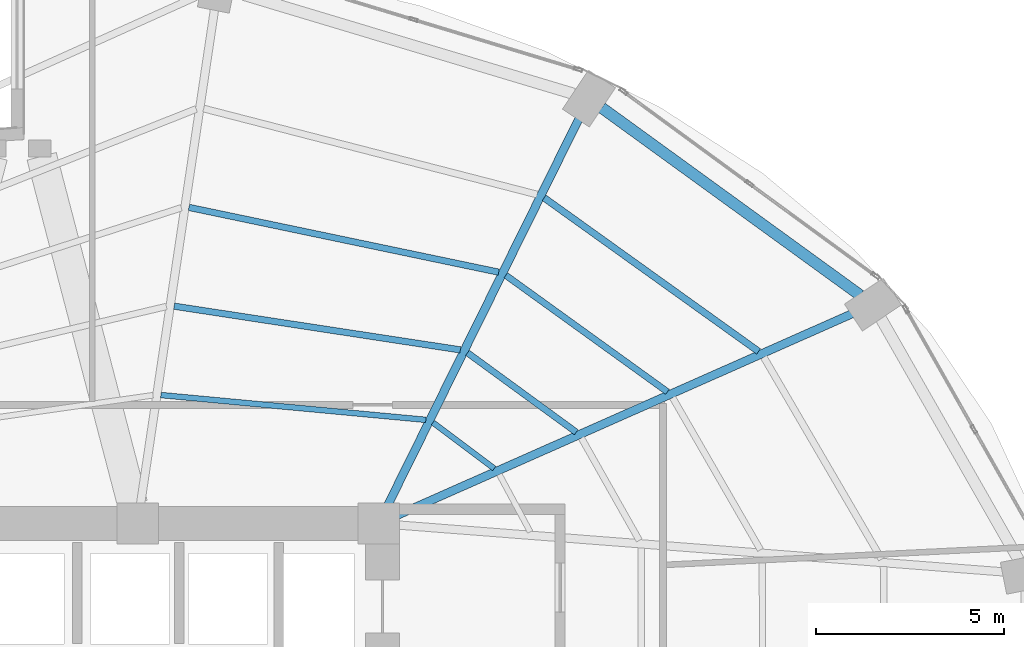
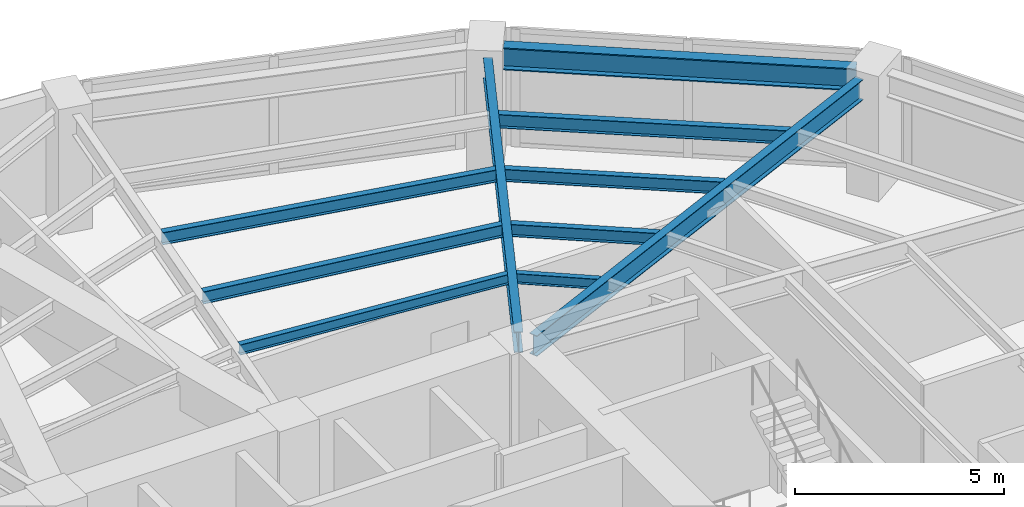
# One storey, part 16 of 24: 10 beams.
"""IFC4 building model written with IfcOpenShell, lengths in metres."""

from ifc_helpers import new_model, si_unit, direction, frame, origin, origin_2d, place, context, subcontext, project, spatial, i_section, extrude, material, material_profile, profile_set, type_object, element, save


model = new_model("IFC4")

# Units and contexts
model_context = context("Model", 3, precision=1e-05, world=origin(), true_north=direction((0.0, 1.0)))
body_context = subcontext(model_context, "Body", "Model", "MODEL_VIEW")
ifc_project = project(units=[si_unit("LENGTHUNIT", "METRE"), si_unit("AREAUNIT", "SQUARE_METRE"), si_unit("VOLUMEUNIT", "CUBIC_METRE"), si_unit("PLANEANGLEUNIT", "RADIAN"), si_unit("MASSUNIT", "GRAM", prefix="KILO")], contexts=[model_context])

# Site, building, storey
site_placement = place(None, origin())
site = spatial("IfcSite", under=ifc_project, at=site_placement, CompositionType="ELEMENT")
building_placement = place(site_placement, origin())
building = spatial("IfcBuilding", under=site, at=building_placement, Name="Lazwardi Medical Tower", CompositionType="ELEMENT")
storey_placement = place(building_placement, frame((0.0, 0.0, 65.327880859375)))
storey = spatial("IfcBuildingStorey", under=building, at=storey_placement, Name="L16", CompositionType="ELEMENT", Elevation=65.327880859375)

# Beams
ifc_material = material(Name="Steel S355", Category="steel")
ifc_material_profile_1 = material_profile(ifc_material, i_section(OverallWidth=0.300048828125, OverallDepth=0.64990234375, WebThickness=0.01611328125, FlangeThickness=0.031005859375, at=origin_2d()), Name="HEB 650")
ifc_profile_set_1 = profile_set([ifc_material_profile_1], Name="Steel S355")
beam_type_1 = type_object("IfcBeamType", Name="BM-RB-Z1", PredefinedType="BEAM", material=ifc_profile_set_1)
beam_1_placement = place(storey_placement, frame((58.3798828125, 41.660888671875, 3.10302734375), z_axis=(-0.809407079515, 0.587247971159, 0.0), x_axis=(-0.587247971159, -0.809407079515, 0.0)))
element("IfcBeam", 1, at=beam_1_placement, inside=storey, type_object=beam_type_1, Name="Ring beam RB-02 B06 L16", PredefinedType="BEAM", context=body_context, shape_type="SweptSolid", body=[
    extrude(i_section(OverallWidth=0.300048828125, OverallDepth=0.64990234375, WebThickness=0.01611328125, FlangeThickness=0.031005859375, at=origin_2d()), origin(), (0.0, 0.0, 1.0), 8.473876953125),
])
ifc_material_profile_2 = material_profile(ifc_material, i_section(OverallWidth=0.219970703125, OverallDepth=0.60009765625, WebThickness=0.011962890625, FlangeThickness=0.01904296875, at=origin_2d()), Name="IPE 600")
ifc_profile_set_2 = profile_set([ifc_material_profile_2], Name="Steel S355")
beam_type_2 = type_object("IfcBeamType", Name="BM-RG-W1", PredefinedType="BEAM", material=ifc_profile_set_2)
beam_2_placement = place(storey_placement, frame((58.189697265625, 41.17919921875, 3.128173828125), z_axis=(-0.914252189566, -0.405145571214, 0.0), x_axis=(0.405145571214, -0.914252189566, 0.0)))
element("IfcBeam", 2, at=beam_2_placement, inside=storey, type_object=beam_type_2, Name="Radial girder RG-02 R06 L16", PredefinedType="BEAM", context=body_context, shape_type="SweptSolid", body=[
    extrude(i_section(OverallWidth=0.219970703125, OverallDepth=0.60009765625, WebThickness=0.011962890625, FlangeThickness=0.01904296875, at=origin_2d()), origin(), (0.0, 0.0, 1.0), 13.235595703125),
])
beam_3_placement = place(storey_placement, frame((50.923828125, 46.364013671875, 3.128173828125), z_axis=(-0.443336723706, -0.896355146922, 0.0), x_axis=(0.896355146922, -0.443336723706, 0.0)))
element("IfcBeam", 3, at=beam_3_placement, inside=storey, type_object=beam_type_2, Name="Radial girder RG-02 R07 L16", PredefinedType="BEAM", context=body_context, shape_type="SweptSolid", body=[
    extrude(i_section(OverallWidth=0.219970703125, OverallDepth=0.60009765625, WebThickness=0.011962890625, FlangeThickness=0.01904296875, at=origin_2d()), origin(), (0.0, 0.0, 1.0), 11.4736328125),
])
ifc_material_profile_3 = material_profile(ifc_material, i_section(OverallWidth=0.179931640625, OverallDepth=0.39990234375, WebThickness=0.008544921875, FlangeThickness=0.013427734375, at=origin_2d()), Name="IPE 400")
ifc_profile_set_3 = profile_set([ifc_material_profile_3], Name="Steel S355")
beam_type_3 = type_object("IfcBeamType", Name="BM-SJ-01", PredefinedType="JOIST", material=ifc_profile_set_3)
beam_4_placement = place(storey_placement, frame((55.68408203125, 40.16796875, 3.22802734375), z_axis=(-0.812901036873, 0.582401840872, 0.0), x_axis=(-0.582401840872, -0.812901036873, 0.0)))
element("IfcBeam", 4, at=beam_4_placement, inside=storey, type_object=beam_type_3, Name="Secondary joist SJ-01 R1 B06 L16", PredefinedType="JOIST", context=body_context, shape_type="SweptSolid", body=[
    extrude(i_section(OverallWidth=0.179931640625, OverallDepth=0.39990234375, WebThickness=0.008544921875, FlangeThickness=0.013427734375, at=origin_2d()), origin(), (0.0, 0.0, 1.0), 7.002197265625),
])
ifc_material_profile_4 = material_profile(ifc_material, i_section(OverallWidth=0.169921875, OverallDepth=0.360107421875, WebThickness=0.008056640625, FlangeThickness=0.0126953125, at=origin_2d()), Name="IPE 360")
ifc_profile_set_4 = profile_set([ifc_material_profile_4], Name="Steel S355")
beam_type_4 = type_object("IfcBeamType", Name="BM-SJ-02", PredefinedType="JOIST", material=ifc_profile_set_4)
beam_5_placement = place(storey_placement, frame((53.26416015625, 39.095703125, 3.248046875), z_axis=(-0.811142764961, 0.584848198127, 0.0), x_axis=(-0.584848198127, -0.811142764961, 0.0)))
element("IfcBeam", 5, at=beam_5_placement, inside=storey, type_object=beam_type_4, Name="Secondary joist SJ-02 R2 B06 L16", PredefinedType="JOIST", context=body_context, shape_type="SweptSolid", body=[
    extrude(i_section(OverallWidth=0.169921875, OverallDepth=0.360107421875, WebThickness=0.008056640625, FlangeThickness=0.0126953125, at=origin_2d()), origin(), (0.0, 0.0, 1.0), 5.28857421875),
])
beam_6_placement = place(storey_placement, frame((48.786376953125, 42.271728515625, 3.248046875), z_axis=(-0.978809182847, 0.204774470026, 0.0), x_axis=(-0.204774470026, -0.978809182847, 0.0)))
element("IfcBeam", 6, at=beam_6_placement, inside=storey, type_object=beam_type_4, Name="Secondary joist SJ-02 R2 B07 L16", PredefinedType="JOIST", context=body_context, shape_type="SweptSolid", body=[
    extrude(i_section(OverallWidth=0.169921875, OverallDepth=0.360107421875, WebThickness=0.008056640625, FlangeThickness=0.0126953125, at=origin_2d()), origin(), (0.0, 0.0, 1.0), 8.40283203125),
])
beam_7_placement = place(storey_placement, frame((50.844482421875, 38.023681640625, 3.248046875), z_axis=(-0.80770129933, 0.589591902132, 0.0), x_axis=(-0.589591902132, -0.80770129933, 0.0)))
element("IfcBeam", 7, at=beam_7_placement, inside=storey, type_object=beam_type_4, Name="Secondary joist SJ-02 R3 B06 L16", PredefinedType="JOIST", context=body_context, shape_type="SweptSolid", body=[
    extrude(i_section(OverallWidth=0.169921875, OverallDepth=0.360107421875, WebThickness=0.008056640625, FlangeThickness=0.0126953125, at=origin_2d()), origin(), (0.0, 0.0, 1.0), 3.5751953125),
])
beam_8_placement = place(storey_placement, frame((47.76806640625, 40.209228515625, 3.248046875), z_axis=(-0.988535611365, 0.150987897074, 0.0), x_axis=(-0.150987897074, -0.988535611365, 0.0)))
element("IfcBeam", 8, at=beam_8_placement, inside=storey, type_object=beam_type_4, Name="Secondary joist SJ-02 R3 B07 L16", PredefinedType="JOIST", context=body_context, shape_type="SweptSolid", body=[
    extrude(i_section(OverallWidth=0.169921875, OverallDepth=0.360107421875, WebThickness=0.008056640625, FlangeThickness=0.0126953125, at=origin_2d()), origin(), (0.0, 0.0, 1.0), 7.68701171875),
])
ifc_material_profile_5 = material_profile(ifc_material, i_section(OverallWidth=0.14990234375, OverallDepth=0.300048828125, WebThickness=0.007080078125, FlangeThickness=0.0107421875, at=origin_2d()), Name="IPE 300")
ifc_profile_set_5 = profile_set([ifc_material_profile_5], Name="Steel S355")
beam_type_5 = type_object("IfcBeamType", Name="BM-SJ-03", PredefinedType="JOIST", material=ifc_profile_set_5)
beam_9_placement = place(storey_placement, frame((48.667236328125, 37.0595703125, 3.278076171875), z_axis=(-0.800115247939, 0.599846305328, 0.0), x_axis=(-0.599846305328, -0.800115247939, 0.0)))
element("IfcBeam", 9, at=beam_9_placement, inside=storey, type_object=beam_type_5, Name="Secondary joist SJ-03 R4 B06 L16", PredefinedType="JOIST", context=body_context, shape_type="SweptSolid", body=[
    extrude(i_section(OverallWidth=0.14990234375, OverallDepth=0.300048828125, WebThickness=0.007080078125, FlangeThickness=0.0107421875, at=origin_2d()), origin(), (0.0, 0.0, 1.0), 2.033447265625),
])
beam_10_placement = place(storey_placement, frame((46.851806640625, 38.35205078125, 3.278076171875), z_axis=(-0.995649263748, 0.093180167407, 0.0), x_axis=(-0.093180167407, -0.995649263748, 0.0)))
element("IfcBeam", 10, at=beam_10_placement, inside=storey, type_object=beam_type_5, Name="Secondary joist SJ-03 R4 B07 L16", PredefinedType="JOIST", context=body_context, shape_type="SweptSolid", body=[
    extrude(i_section(OverallWidth=0.14990234375, OverallDepth=0.300048828125, WebThickness=0.007080078125, FlangeThickness=0.0107421875, at=origin_2d()), origin(), (0.0, 0.0, 1.0), 7.06640625),
])

save(model, "model.ifc")
